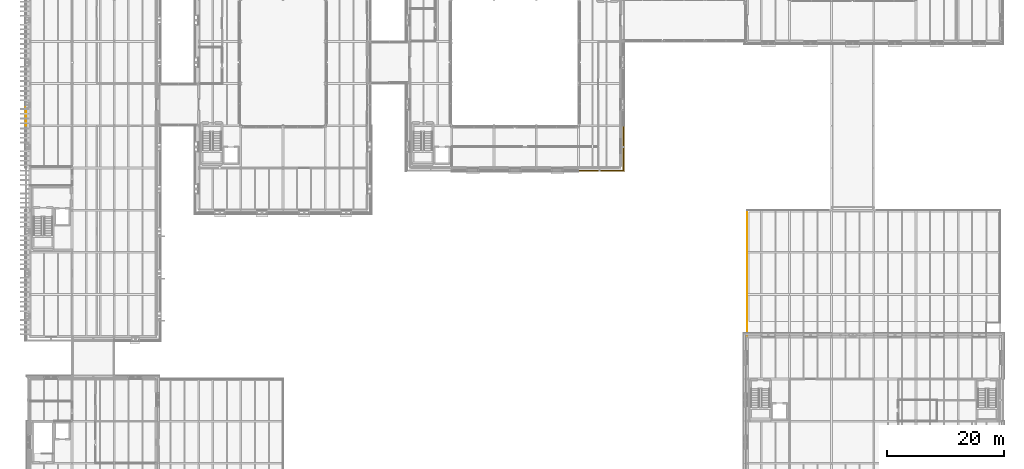
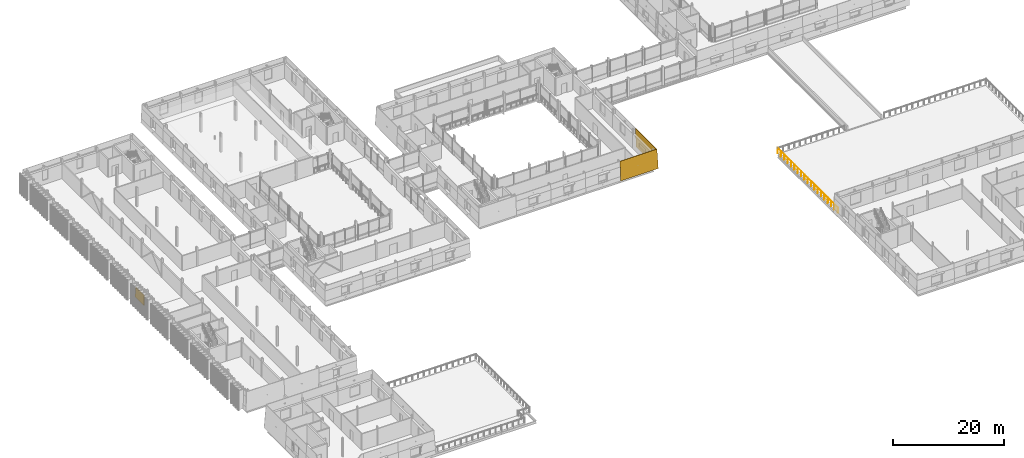
# One storey, part 99 of 115: 3 coverings, 1 railing.
"""IFC4 building model written with IfcOpenShell, lengths in metres."""

from ifc_helpers import new_model, si_unit, direction, frame, origin, origin_2d, place, context, subcontext, project, spatial, polyline, circle, outline, extrude, material, layer, layer_set, type_object, element, save


model = new_model("IFC4")

# Units and contexts
model_context = context("Model", 3, precision=1e-05, world=origin(), true_north=direction((0.0, 1.0)))
body_context = subcontext(model_context, "Body", "Model", "MODEL_VIEW")
ifc_project = project(units=[si_unit("LENGTHUNIT", "METRE"), si_unit("AREAUNIT", "SQUARE_METRE"), si_unit("VOLUMEUNIT", "CUBIC_METRE"), si_unit("PLANEANGLEUNIT", "RADIAN"), si_unit("MASSUNIT", "GRAM", prefix="KILO")], contexts=[model_context])

# Site, building, storey
site_placement = place(None, origin())
site = spatial("IfcSite", under=ifc_project, at=site_placement, CompositionType="ELEMENT")
building_placement = place(site_placement, origin())
building = spatial("IfcBuilding", under=site, at=building_placement, Name="Narikvali Park Central Library", CompositionType="ELEMENT")
storey_placement = place(building_placement, frame((0.0, 0.0, 10.199951171875)))
storey = spatial("IfcBuildingStorey", under=building, at=storey_placement, Name="L02", CompositionType="ELEMENT", Elevation=10.199951171875)

# Coverings
ifc_material_1 = material(Name="White Honed Limestone Cladding", Category="masonry")
ifc_layer_1 = layer(ifc_material_1, 0.0849609375, Name="White Honed Limestone Cladding")
ifc_layer_set_1 = layer_set([ifc_layer_1], Name="White Honed Limestone Cladding")
covering_type = type_object("IfcCoveringType", Name="Battered White Limestone Facade Cladding Panel", PredefinedType="CLADDING", material=ifc_layer_set_1)
covering_1_placement = place(storey_placement, frame((93.60009765625, 56.977294921875, 0.0), z_axis=(0.0, -0.999161325874, 0.040946854313), x_axis=(1.0, 0.0, 0.0)))
element("IfcCovering", 1, at=covering_1_placement, inside=storey, type_object=covering_type, Name="V1 L02 S Battered Limestone Panel B05", PredefinedType="CLADDING", context=body_context, shape_type="SweptSolid", body=[
    extrude(outline(polyline([(0.0, 0.0), (7.822509765625, 0.0), (7.650634765625, 4.203476518871453), (0.0, 4.203476518871453), (0.0, 0.0)])), origin(), (0.0, 0.0, -1.0), 0.0849609375),
])
covering_2_placement = place(storey_placement, frame((101.422607421875, 57.0625, 0.0), z_axis=(0.999163700422, 0.0, 0.040888870842), x_axis=(0.0, 1.0, 0.0)))
element("IfcCovering", 2, at=covering_2_placement, inside=storey, type_object=covering_type, Name="V1 L02 E Battered Limestone Panel B01", PredefinedType="CLADDING", context=body_context, shape_type="SweptSolid", body=[
    extrude(outline(polyline([(0.0, 0.0), (7.737548828125, 0.0), (7.737548828125, 4.203466529158903), (0.171875, 4.203466529158903), (0.0, 0.0)])), origin(), (0.0, 0.0, -1.0), 0.0849609375),
])
covering_3_placement = place(storey_placement, frame((-0.7236328125, 67.9599609375, 0.949951171875), z_axis=(-0.99959734633, 0.0, 0.028375080797), x_axis=(0.0, -1.0, 0.0)))
element("IfcCovering", 3, at=covering_3_placement, inside=storey, type_object=covering_type, Name="V5 L02 W Battered Limestone Jamb Pier R B06", PredefinedType="CLADDING", context=body_context, shape_type="SweptSolid", body=[
    extrude(outline(polyline([(0.0, 0.0), (3.159912109375, 0.0), (3.159912109375, 2.1510125974918495), (0.0, 2.1510125974918495), (0.0, 0.0)])), origin(), (0.0, 0.0, -1.0), 0.0849609375),
])

# Railing
ifc_material_2 = material(Name="Anodised Bronze and White Limestone", Category="masonry")
ifc_layer_2 = layer(ifc_material_2, 0.080078125, Name="Anodised Bronze and White Limestone")
ifc_layer_set_2 = layer_set([ifc_layer_2], Name="Anodised Bronze and White Limestone")
railing_type = type_object("IfcRailingType", Name="Terrace Stone and Bronze Balustrade 1150", PredefinedType="BALUSTRADE", material=ifc_layer_set_2)
railing_placement = place(storey_placement, frame((122.39990234375, 50.39990234375, 0.0)))
element("IfcRailing", 4, at=railing_placement, inside=storey, type_object=railing_type, Name="V6 L02 Roof Garden Balustrade 6", PredefinedType="BALUSTRADE", context=body_context, shape_type="SweptSolid", body=[
    extrude(circle(Radius=0.02392578125, at=origin_2d()), frame((0.0, 0.0, 1.1259765625), z_axis=(0.0, -1.0, 0.0), x_axis=(1.0, 0.0, 0.0)), (0.0, 0.0, 1.0), 21.599853515625),
    extrude(circle(Radius=0.02099609375, at=origin_2d()), origin(), (0.0, 0.0, 1.0), 1.101806640625),
    extrude(circle(Radius=0.02099609375, at=origin_2d()), frame((0.0, -1.199951171875, 0.0)), (0.0, 0.0, 1.0), 1.101806640625),
    extrude(circle(Radius=0.02099609375, at=origin_2d()), frame((0.0, -2.39990234375, 0.0)), (0.0, 0.0, 1.0), 1.101806640625),
    extrude(circle(Radius=0.02099609375, at=origin_2d()), frame((0.0, -3.60009765625, 0.0)), (0.0, 0.0, 1.0), 1.101806640625),
    extrude(circle(Radius=0.02099609375, at=origin_2d()), frame((0.0, -4.800048828125, 0.0)), (0.0, 0.0, 1.0), 1.101806640625),
    extrude(circle(Radius=0.02099609375, at=origin_2d()), frame((0.0, -6.0, 0.0)), (0.0, 0.0, 1.0), 1.101806640625),
    extrude(circle(Radius=0.02099609375, at=origin_2d()), frame((0.0, -7.199951171875, 0.0)), (0.0, 0.0, 1.0), 1.101806640625),
    extrude(circle(Radius=0.02099609375, at=origin_2d()), frame((0.0, -8.39990234375, 0.0)), (0.0, 0.0, 1.0), 1.101806640625),
    extrude(circle(Radius=0.02099609375, at=origin_2d()), frame((0.0, -9.599853515625, 0.0)), (0.0, 0.0, 1.0), 1.101806640625),
    extrude(circle(Radius=0.02099609375, at=origin_2d()), frame((0.0, -10.7998046875, 0.0)), (0.0, 0.0, 1.0), 1.101806640625),
    extrude(circle(Radius=0.02099609375, at=origin_2d()), frame((0.0, -12.0, 0.0)), (0.0, 0.0, 1.0), 1.101806640625),
    extrude(circle(Radius=0.02099609375, at=origin_2d()), frame((0.0, -13.199951171875, 0.0)), (0.0, 0.0, 1.0), 1.101806640625),
    extrude(circle(Radius=0.02099609375, at=origin_2d()), frame((0.0, -14.39990234375, 0.0)), (0.0, 0.0, 1.0), 1.101806640625),
    extrude(circle(Radius=0.02099609375, at=origin_2d()), frame((0.0, -15.599853515625, 0.0)), (0.0, 0.0, 1.0), 1.101806640625),
    extrude(circle(Radius=0.02099609375, at=origin_2d()), frame((0.0, -16.7998046875, 0.0)), (0.0, 0.0, 1.0), 1.101806640625),
    extrude(circle(Radius=0.02099609375, at=origin_2d()), frame((0.0, -18.0, 0.0)), (0.0, 0.0, 1.0), 1.101806640625),
    extrude(circle(Radius=0.02099609375, at=origin_2d()), frame((0.0, -19.199951171875, 0.0)), (0.0, 0.0, 1.0), 1.101806640625),
    extrude(circle(Radius=0.02099609375, at=origin_2d()), frame((0.0, -20.39990234375, 0.0)), (0.0, 0.0, 1.0), 1.101806640625),
    extrude(circle(Radius=0.02099609375, at=origin_2d()), frame((0.0, -21.599853515625, 0.0)), (0.0, 0.0, 1.0), 1.101806640625),
])

save(model, "model.ifc")
